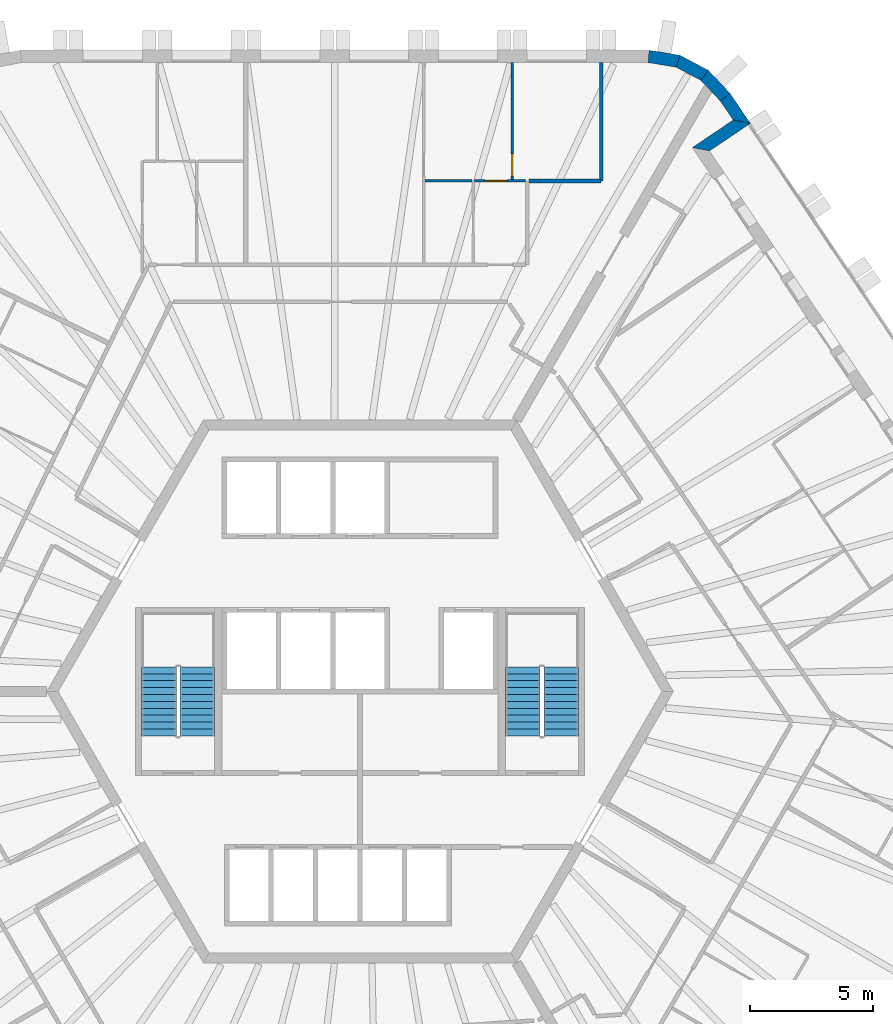
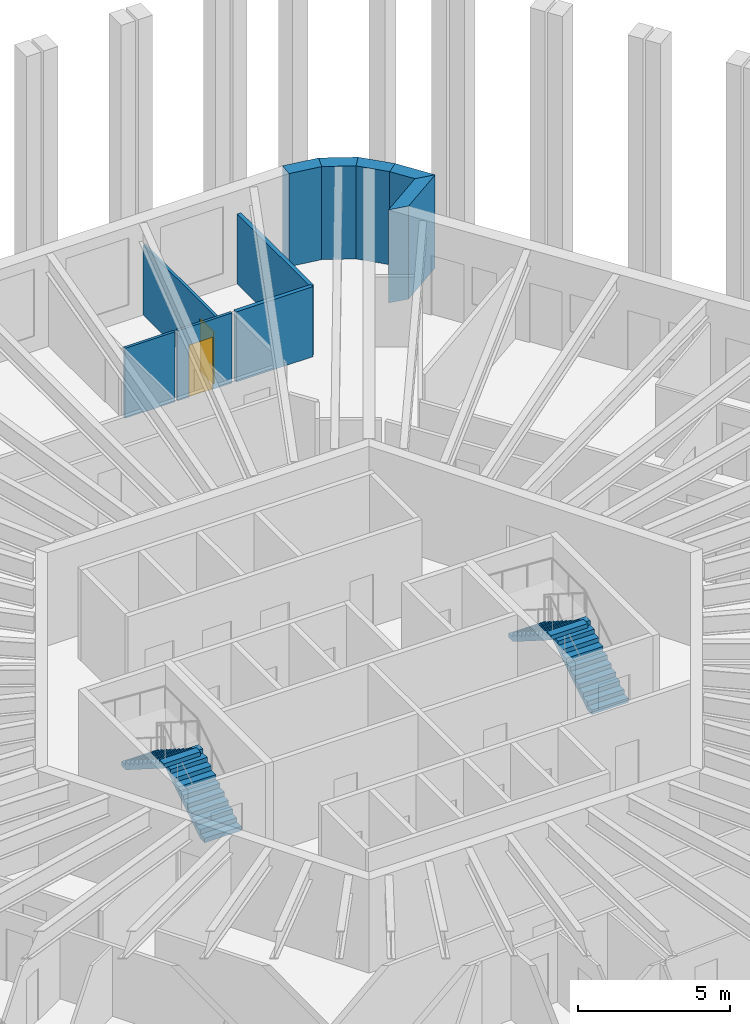
# One storey, part 11 of 13: 10 walls, 4 stair flights, 2 doors, 2 openings, 2 elements without a shape of their own.
"""IFC4 building model written with IfcOpenShell, lengths in metres."""

import ifcopenshell
import ifcopenshell.guid

model = None  # the IFC model being written
_history = None  # IfcOwnerHistory: only IFC2X3 demands one
_inside = {}  # id of a spatial element -> (the spatial element, [elements in it])
_under = {}  # id of a project, library or spatial element -> (it, [spatial elements below it])
_declared = {}  # id of a project -> (the project, [libraries it declares])
_typed = {}  # id of a type object -> (the type object, [elements of that type])
_made_of = {}  # id of a material, layer set ... -> (it, [elements and type objects made of it])


def new_model(schema):
    """Start an empty IFC model of exactly this schema.

    Asked for "IFC4X3", IfcOpenShell would pick the latest addendum, in which some entities
    have other attributes; the version numbers below select the first issue.
    IFC2X3 requires an IfcOwnerHistory on every rooted entity: one is made here for all.
    """
    global model, _history
    if schema == "IFC4X3":
        model = ifcopenshell.file(schema_version=(4, 3, 0, 0))
    else:
        model = ifcopenshell.file(schema=schema)
    _inside.clear()
    _under.clear()
    _declared.clear()
    _typed.clear()
    _made_of.clear()
    _history = None
    if model.schema == "IFC2X3":
        org = make("IfcOrganization", Name="unknown")
        user = make(
            "IfcPersonAndOrganization",
            ThePerson=make("IfcPerson", FamilyName="unknown"),
            TheOrganization=org,
        )
        app = make(
            "IfcApplication",
            ApplicationDeveloper=org,
            Version="unknown",
            ApplicationFullName="unknown",
            ApplicationIdentifier="unknown",
        )
        _history = make(
            "IfcOwnerHistory",
            OwningUser=user,
            OwningApplication=app,
            ChangeAction="ADDED",
            CreationDate=0,
        )
    return model


def make(cls, **values):
    """One entity of the class cls with the attributes given. An attribute that is None is left unset."""
    return model.create_entity(
        cls, **{name: value for name, value in values.items() if value is not None}
    )


def rooted(cls, **values):
    """An entity with a GlobalId (a new one), such as an element, a storey or a relation."""
    return make(cls, GlobalId=ifcopenshell.guid.new(), OwnerHistory=_history, **values)


def si_unit(unit_type, name, prefix=None):
    """IfcSIUnit, for example si_unit("LENGTHUNIT", "METRE", prefix="MILLI")."""
    return make("IfcSIUnit", UnitType=unit_type, Prefix=prefix, Name=name)


def assignment(units):
    """IfcUnitAssignment: the units of a project."""
    return None if units is None else make("IfcUnitAssignment", Units=units)


def point(xyz):
    """IfcCartesianPoint."""
    return None if xyz is None else make("IfcCartesianPoint", Coordinates=xyz)


def direction(xyz):
    """IfcDirection."""
    return None if xyz is None else make("IfcDirection", DirectionRatios=xyz)


def frame(location, z_axis=None, x_axis=None):
    """IfcAxis2Placement3D, a coordinate frame: its origin and axes. An axis left out is left unset."""
    return make(
        "IfcAxis2Placement3D",
        Location=point(location),
        Axis=direction(z_axis),
        RefDirection=direction(x_axis),
    )


def frame_2d(location, x_axis=None):
    """IfcAxis2Placement2D, a coordinate frame in the plane: its origin and x axis."""
    return make(
        "IfcAxis2Placement2D", Location=point(location), RefDirection=direction(x_axis)
    )


def origin():
    """The frame at (0, 0, 0) with its axes left unset."""
    return frame((0.0, 0.0, 0.0))


def place(relative_to, where):
    """IfcLocalPlacement: puts the frame where relative to a parent placement (None: the world)."""
    return make(
        "IfcLocalPlacement", PlacementRelTo=relative_to, RelativePlacement=where
    )


def context(
    kind, dimensions, precision=None, world=None, true_north=None, identifier=None
):
    """IfcGeometricRepresentationContext, for example the 3D "Model" context."""
    return make(
        "IfcGeometricRepresentationContext",
        ContextIdentifier=identifier,
        ContextType=kind,
        CoordinateSpaceDimension=dimensions,
        Precision=precision,
        WorldCoordinateSystem=world,
        TrueNorth=true_north,
    )


def subcontext(parent, identifier, kind, view, scale=None):
    """IfcGeometricRepresentationSubContext, for example "Body" below "Model"."""
    return make(
        "IfcGeometricRepresentationSubContext",
        ContextIdentifier=identifier,
        ContextType=kind,
        ParentContext=parent,
        TargetScale=scale,
        TargetView=view,
    )


def project(units=None, contexts=None):
    """IfcProject with its units and contexts."""
    return rooted(
        "IfcProject",
        Name="project",
        RepresentationContexts=contexts,
        UnitsInContext=assignment(units),
    )


def spatial(cls, under=None, at=None, **own):
    """A site, building, storey or space (cls), placed at a placement, below another one or the project."""
    s = rooted(cls, ObjectPlacement=at, **own)
    if under is not None:
        _under.setdefault(under.id(), (under, []))[1].append(s)
    return s


def polyline(points):
    """IfcPolyline through the points."""
    return make("IfcPolyline", Points=[point(p) for p in points])


def profile(cls, at=None, kind="AREA", **sizes):
    """A parametric profile (cls). Its sizes go by their IFC names, for example OverallWidth=200.0."""
    return make(cls, ProfileType=kind, Position=at, **sizes)


def rectangle(**sizes):
    """IfcRectangleProfileDef."""
    return profile("IfcRectangleProfileDef", **sizes)


def outline(outer, holes=None, kind="AREA"):
    """IfcArbitraryClosedProfileDef: a profile drawn as a closed curve; with holes, ...WithVoids."""
    if holes is None:
        return make("IfcArbitraryClosedProfileDef", ProfileType=kind, OuterCurve=outer)
    return make(
        "IfcArbitraryProfileDefWithVoids",
        ProfileType=kind,
        OuterCurve=outer,
        InnerCurves=holes,
    )


def extrude(swept, where, along, depth):
    """IfcExtrudedAreaSolid: the profile swept, set in the frame where, extruded along a direction by depth."""
    return make(
        "IfcExtrudedAreaSolid",
        SweptArea=swept,
        Position=where,
        ExtrudedDirection=direction(along),
        Depth=depth,
    )


def shape(context_of_items, identifier, shape_type, items):
    """IfcShapeRepresentation: the items that make up one representation, for example the "Body"."""
    return make(
        "IfcShapeRepresentation",
        ContextOfItems=context_of_items,
        RepresentationIdentifier=identifier,
        RepresentationType=shape_type,
        Items=items,
    )


def material(Name=None, Category=None):
    """IfcMaterial."""
    return make("IfcMaterial", Name=Name, Category=Category)


def layer(
    of_material, thickness, ventilated=None, Name=None, Category=None, Priority=None
):
    """IfcMaterialLayer: one layer of a wall or slab, of a material (None: an air gap)."""
    return make(
        "IfcMaterialLayer",
        Material=of_material,
        LayerThickness=thickness,
        IsVentilated=ventilated,
        Name=Name,
        Category=Category,
        Priority=Priority,
    )


def layer_set(layers, Name=None):
    """IfcMaterialLayerSet."""
    return make("IfcMaterialLayerSet", MaterialLayers=layers, LayerSetName=Name)


def made_of(thing, what):
    """Note that an element or type object is made of a material, layer set ...; save() writes the relation."""
    if what is not None:
        _made_of.setdefault(what.id(), (what, []))[1].append(thing)
    return thing


def type_object(cls, material=None, **own):
    """A type object (cls), such as IfcWallType, which elements share."""
    return made_of(rooted(cls, **own), material)


def element(
    cls,
    number,
    at=None,
    inside=None,
    cuts=None,
    type_object=None,
    material=None,
    context=None,
    identifier="Body",
    shape_type=None,
    held_by="IfcProductDefinitionShape",
    body=None,
    shapes=None,
    **own,
):
    """One element of the class cls, such as IfcWall. Its Tag is "e" and its number.

    at: its placement. inside: the storey or other place that contains it. cuts: it is an
    opening in that element (IfcRelVoidsElement). A single representation is given by context,
    identifier, shape_type and body (its items); several are given by shapes. held_by: the class
    of the entity that holds the representations. save() writes the other relations.
    """
    e = rooted(cls, Tag="e%d" % number, ObjectPlacement=at, **own)
    if body is not None:
        shapes = [shape(context, identifier, shape_type, body)]
    if shapes is not None:
        e.Representation = make(held_by, Representations=shapes)
    if inside is not None:
        _inside.setdefault(inside.id(), (inside, []))[1].append(e)
    if cuts is not None:
        rooted(
            "IfcRelVoidsElement", RelatingBuildingElement=cuts, RelatedOpeningElement=e
        )
    if type_object is not None:
        _typed.setdefault(type_object.id(), (type_object, []))[1].append(e)
    return made_of(e, material)


def fill(opening, filler):
    """IfcRelFillsElement: the door or window that sits in an opening."""
    return rooted(
        "IfcRelFillsElement",
        RelatingOpeningElement=opening,
        RelatedBuildingElement=filler,
    )


def aggregate(whole, parts):
    """IfcRelAggregates: a whole, such as a stair, and the parts it consists of."""
    return rooted("IfcRelAggregates", RelatingObject=whole, RelatedObjects=parts)


def save(model, path):
    """Write the relations noted so far, then the file.

    IfcRelAggregates (storeys below a building ...), IfcRelContainedInSpatialStructure (elements
    in a storey), IfcRelDefinesByType, IfcRelAssociatesMaterial and IfcRelDeclares: one each for
    every whole, place, type object, material and project.
    """
    for whole, parts in _under.values():
        aggregate(whole, parts)
    for where, things in _inside.values():
        rooted(
            "IfcRelContainedInSpatialStructure",
            RelatedElements=things,
            RelatingStructure=where,
        )
    for kind, things in _typed.values():
        rooted("IfcRelDefinesByType", RelatedObjects=things, RelatingType=kind)
    for what, things in _made_of.values():
        rooted("IfcRelAssociatesMaterial", RelatedObjects=things, RelatingMaterial=what)
    for by, libraries in _declared.values():
        rooted("IfcRelDeclares", RelatingContext=by, RelatedDefinitions=libraries)
    model.write(path)


model = new_model("IFC4")

# Units and contexts
model_context = context("Model", 3, precision=1e-05, world=origin(), true_north=direction((0.0, 1.0)))
body_context = subcontext(model_context, "Body", "Model", "MODEL_VIEW")
ifc_project = project(units=[si_unit("LENGTHUNIT", "METRE"), si_unit("AREAUNIT", "SQUARE_METRE"), si_unit("VOLUMEUNIT", "CUBIC_METRE"), si_unit("PLANEANGLEUNIT", "RADIAN"), si_unit("MASSUNIT", "GRAM", prefix="KILO")], contexts=[model_context])

# Site, building, storey
site_placement = place(None, origin())
site = spatial("IfcSite", under=ifc_project, at=site_placement, CompositionType="ELEMENT")
building_placement = place(site_placement, origin())
building = spatial("IfcBuilding", under=site, at=building_placement, Name="Tarnside Tower", CompositionType="ELEMENT")
storey_placement = place(building_placement, frame((0.0, 0.0, 256.199951171875)))
storey = spatial("IfcBuildingStorey", under=building, at=storey_placement, Name="L61", CompositionType="ELEMENT", Elevation=256.199951171875)

# Walls
ifc_material_1 = material(Name="Gypsum board partition on steel studs", Category="steel")
ifc_layer_1 = layer(ifc_material_1, 0.10009765625)
ifc_layer_set_1 = layer_set([ifc_layer_1], Name="Bathroom wall 100")
wall_type_1 = type_object("IfcWallType", Name="Bathroom wall 100", PredefinedType="PARTITIONING", material=ifc_layer_set_1)
wall_1_placement = place(storey_placement, frame((4.5380859375, 20.699951171875, 0.0), z_axis=(0.0, 0.0, 1.0), x_axis=(-1.0, 0.0, 0.0)))
element("IfcWall", 1, at=wall_1_placement, inside=storey, type_object=wall_type_1, Name="Bathroom wall 20088", PredefinedType="PARTITIONING", context=body_context, shape_type="SweptSolid", body=[
    extrude(rectangle(XDim=1.904052734375, YDim=0.10009765625, at=frame_2d((0.9521484375, 0.0))), origin(), (0.0, 0.0, 1.0), 2.823486328125),
])
ifc_layer_2 = layer(ifc_material_1, 0.14990234375)
ifc_layer_set_2 = layer_set([ifc_layer_2], Name="Corridor wall 150 EI 60")
wall_type_2 = type_object("IfcWallType", Name="Corridor wall 150 EI 60", PredefinedType="PARTITIONING", material=ifc_layer_set_2)
wall_2_placement = place(storey_placement, frame((9.77392578125, 20.699951171875, 0.0), z_axis=(0.0, 0.0, 1.0), x_axis=(-1.0, 0.0, 0.0)))
element("IfcWall", 2, at=wall_2_placement, inside=storey, type_object=wall_type_2, Name="Corridor wall 20005", PredefinedType="PARTITIONING", context=body_context, shape_type="SweptSolid", body=[
    extrude(rectangle(XDim=2.916259765625, YDim=0.14990234375, at=frame_2d((1.4580078125, 0.0))), origin(), (0.0, 0.0, 1.0), 2.823486328125),
])
wall_3_placement = place(storey_placement, frame((9.775146484375, 25.5, 0.0), z_axis=(0.0, 0.0, 1.0), x_axis=(0.0, -1.0, 0.0)))
element("IfcWall", 3, at=wall_3_placement, inside=storey, type_object=wall_type_2, Name="Corridor wall 20006", PredefinedType="PARTITIONING", context=body_context, shape_type="SweptSolid", body=[
    extrude(rectangle(XDim=4.798828125, YDim=0.14990234375, at=frame_2d((2.3994140625, 0.0))), origin(), (0.0, 0.0, 1.0), 2.823486328125),
])
ifc_material_2 = material(Name="Dark zinc cladding")
ifc_layer_3 = layer(ifc_material_2, 0.10205078125)
ifc_material_3 = material(Name="Concrete C60/75 precast", Category="concrete")
ifc_layer_4 = layer(ifc_material_3, 0.298095703125)
ifc_material_4 = material(Name="Mineral wool insulation")
ifc_layer_5 = layer(ifc_material_4, 0.10009765625)
ifc_layer_set_3 = layer_set([ifc_layer_3, ifc_layer_4, ifc_layer_5], Name="Loggia wall 500 zinc faced")
wall_type_3 = type_object("IfcWallType", Name="Loggia wall 500 zinc faced", PredefinedType="SOLIDWALL", material=ifc_layer_set_3)
wall_4_placement = place(storey_placement, frame((13.8193359375, 21.983642578125, 0.0), z_axis=(0.0, 0.0, 1.0), x_axis=(0.829052389485, 0.559170935841, 0.0)))
element("IfcWall", 4, at=wall_4_placement, inside=storey, type_object=wall_type_3, Name="Tube wall L61 F6 return 31", PredefinedType="SOLIDWALL", context=body_context, shape_type="SweptSolid", body=[
    extrude(outline(polyline([(0.25, -0.25), (2.25, -0.25), (1.75, 0.25), (-0.25, 0.25), (0.25, -0.25)])), origin(), (0.0, 0.0, 1.0), 3.75),
])
wall_5_placement = place(storey_placement, frame((15.4775390625, 23.10205078125, 0.0), z_axis=(0.0, 0.0, 1.0), x_axis=(-0.559245726333, 0.829001940636, 0.0)))
element("IfcWall", 5, at=wall_5_placement, inside=storey, type_object=wall_type_3, Name="Tube wall L61 F6 stub 32", PredefinedType="SOLIDWALL", context=body_context, shape_type="SweptSolid", body=[
    extrude(outline(polyline([(-0.25, -0.25), (1.220703125, -0.25), (1.1796875, 0.25), (0.25, 0.25), (-0.25, -0.25)])), origin(), (0.0, 0.0, 1.0), 3.75),
])

# Wall, opening, door
ifc_layer_6 = layer(ifc_material_1, 0.10009765625)
ifc_layer_set_4 = layer_set([ifc_layer_6], Name="Partition 100")
wall_type_4 = type_object("IfcWallType", Name="Partition 100", PredefinedType="PARTITIONING", material=ifc_layer_set_4)
wall_6_placement = place(storey_placement, frame((6.713134765625, 20.699951171875, 0.0), z_axis=(0.0, 0.0, 1.0), x_axis=(-1.0, 0.0, 0.0)))
wall_6 = element("IfcWall", 6, at=wall_6_placement, inside=storey, type_object=wall_type_4, Name="Partition wall 20086", PredefinedType="PARTITIONING", context=body_context, shape_type="SweptSolid", body=[
    extrude(rectangle(XDim=2.0791015625, YDim=0.10009765625, at=frame_2d((1.03955078125, 0.0))), origin(), (0.0, 0.0, 1.0), 2.823486328125),
])
opening_1_placement = place(wall_6_placement, frame((0.738037109375, 0.0, 0.0)))
opening_1 = element("IfcOpeningElement", 7, at=opening_1_placement, cuts=wall_6, Name="Opening D-I1", PredefinedType="OPENING", context=body_context, shape_type="SweptSolid", body=[
    extrude(rectangle(XDim=0.89990234375, YDim=2.10009765625, at=frame_2d((0.449951171875, 1.050048828125))), frame((0.0, 0.06005859375, 0.0), z_axis=(0.0, -1.0, 0.0), x_axis=(1.0, 0.0, 0.0)), (0.0, 0.0, 1.0), 0.1201171875),
])
ifc_material_5 = material(Name="Timber door leaf", Category="wood")
door_type = type_object("IfcDoorType", Name="Internal door 900", OperationType="NOTDEFINED", PredefinedType="DOOR", material=ifc_material_5)
door_1_placement = place(opening_1_placement, origin())
door_1 = element("IfcDoor", 8, at=door_1_placement, inside=storey, type_object=door_type, Name="Internal door 20005", OperationType="SINGLE_SWING_RIGHT", OverallHeight=2.10009765625, OverallWidth=0.89990234375, PredefinedType="DOOR", context=body_context, shape_type="SweptSolid", body=[
    extrude(rectangle(XDim=0.89990234375, YDim=2.10009765625, at=frame_2d((0.449951171875, 1.050048828125))), frame((0.0, 0.02490234375, 0.0), z_axis=(0.0, -1.0, 0.0), x_axis=(1.0, 0.0, 0.0)), (0.0, 0.0, 1.0), 0.050048828125),
])
fill(opening_1, door_1)

wall_7_placement = place(storey_placement, frame((6.17529296875, 25.5, 0.0), z_axis=(0.0, 0.0, 1.0), x_axis=(0.0, -1.0, 0.0)))
wall_7 = element("IfcWall", 9, at=wall_7_placement, inside=storey, type_object=wall_type_4, Name="Partition wall 20089", PredefinedType="PARTITIONING", context=body_context, shape_type="SweptSolid", body=[
    extrude(rectangle(XDim=4.75, YDim=0.10009765625, at=frame_2d((2.375, 0.0))), origin(), (0.0, 0.0, 1.0), 2.823486328125),
])
opening_2_placement = place(wall_7_placement, frame((3.699951171875, 0.0, 0.0)))
opening_2 = element("IfcOpeningElement", 10, at=opening_2_placement, cuts=wall_7, Name="Opening D-I1", PredefinedType="OPENING", context=body_context, shape_type="SweptSolid", body=[
    extrude(rectangle(XDim=0.89990234375, YDim=2.10009765625, at=frame_2d((0.449951171875, 1.050048828125))), frame((0.0, 0.06005859375, 0.0), z_axis=(0.0, -1.0, 0.0), x_axis=(1.0, 0.0, 0.0)), (0.0, 0.0, 1.0), 0.1201171875),
])
door_2_placement = place(opening_2_placement, origin())
door_2 = element("IfcDoor", 11, at=door_2_placement, inside=storey, type_object=door_type, Name="Internal door 20008", OperationType="SINGLE_SWING_RIGHT", OverallHeight=2.10009765625, OverallWidth=0.89990234375, PredefinedType="DOOR", context=body_context, shape_type="SweptSolid", body=[
    extrude(rectangle(XDim=0.89990234375, YDim=2.10009765625, at=frame_2d((0.449951171875, 1.050048828125))), frame((0.0, 0.02490234375, 0.0), z_axis=(0.0, -1.0, 0.0), x_axis=(1.0, 0.0, 0.0)), (0.0, 0.0, 1.0), 0.050048828125),
])
fill(opening_2, door_2)

# Walls
ifc_material_6 = material(Name="Facing brick", Category="masonry")
ifc_layer_7 = layer(ifc_material_6, 0.10205078125)
ifc_layer_8 = layer(ifc_material_3, 0.298095703125)
ifc_layer_9 = layer(ifc_material_4, 0.10009765625)
ifc_layer_set_5 = layer_set([ifc_layer_7, ifc_layer_8, ifc_layer_9], Name="Tube wall 500 brick faced")
wall_type_5 = type_object("IfcWallType", Name="Tube wall 500 brick faced", PredefinedType="SOLIDWALL", material=ifc_layer_set_5)
wall_8_placement = place(storey_placement, frame((14.806396484375, 24.096923828125, 0.0), z_axis=(0.0, 0.0, 1.0), x_axis=(-0.686234452793, 0.727380420275, 0.0)))
element("IfcWall", 12, at=wall_8_placement, inside=storey, type_object=wall_type_5, Name="Tube wall L61 F6 chord 33", PredefinedType="SOLIDWALL", context=body_context, shape_type="SweptSolid", body=[
    extrude(outline(polyline([(-0.0205078125, -0.25), (1.25732421875, -0.25), (1.17529296875, 0.25), (0.0205078125, 0.25), (-0.0205078125, -0.25)])), origin(), (0.0, 0.0, 1.0), 3.75),
])
wall_9_placement = place(storey_placement, frame((13.9716796875, 24.981689453125, 0.0), z_axis=(0.0, 0.0, 1.0), x_axis=(-0.882902492938, 0.469556373575, 0.0)))
element("IfcWall", 13, at=wall_9_placement, inside=storey, type_object=wall_type_5, Name="Tube wall L61 F6 chord 34", PredefinedType="SOLIDWALL", context=body_context, shape_type="SweptSolid", body=[
    extrude(outline(polyline([(-0.041015625, -0.25), (1.257080078125, -0.25), (1.175048828125, 0.25), (0.041015625, 0.25), (-0.041015625, -0.25)])), origin(), (0.0, 0.0, 1.0), 3.75),
])
wall_10_placement = place(storey_placement, frame((12.89794921875, 25.552734375, 0.0), z_axis=(0.0, 0.0, 1.0), x_axis=(-0.986765617372, 0.16215306464, 0.0)))
element("IfcWall", 14, at=wall_10_placement, inside=storey, type_object=wall_type_5, Name="Tube wall L61 F6 chord 35", PredefinedType="SOLIDWALL", context=body_context, shape_type="SweptSolid", body=[
    extrude(outline(polyline([(-0.041015625, -0.25), (1.237060546875, -0.25), (1.196044921875, 0.25), (0.041015625, 0.25), (-0.041015625, -0.25)])), origin(), (0.0, 0.0, 1.0), 3.75),
])

# Stair, stair flights
ifc_material_7 = material(Name="Concrete C40/50", Category="concrete")
stair_type = type_object("IfcStairType", Name="Exit stair 1400 clear", PredefinedType="HALF_TURN_STAIR", material=ifc_material_7)
stair_1_placement = place(storey_placement, origin())
stair_1 = element("IfcStair", 15, at=stair_1_placement, inside=storey, type_object=stair_type, Name="L61 Exit stair 1", PredefinedType="HALF_TURN_STAIR")
stair_flight_type = type_object("IfcStairFlightType", Name="Exit stair flight 1400", PredefinedType="STRAIGHT", material=ifc_material_7)
stair_flight_1_placement = place(storey_placement, frame((8.14990234375, -1.800048828125, 0.0), z_axis=(0.0, 0.0, 1.0), x_axis=(0.0, 1.0, 0.0)))
stair_flight_1 = element("IfcStairFlight", 16, at=stair_flight_1_placement, type_object=stair_flight_type, Name="ST1 flight 1", NumberOfRisers=11, NumberOfTreads=10, PredefinedType="STRAIGHT", RiserHeight=0.177272727, TreadLength=0.28, context=body_context, shape_type="SweptSolid", body=[
    extrude(outline(polyline([(0.0, 0.0), (0.0, 0.17724609375), (0.280029296875, 0.17724609375), (0.280029296875, 0.3544921875), (0.56005859375, 0.3544921875), (0.56005859375, 0.53173828125), (0.840087890625, 0.53173828125), (0.840087890625, 0.708984375), (1.1201171875, 0.708984375), (1.1201171875, 0.886474609375), (1.39990234375, 0.886474609375), (1.39990234375, 1.063720703125), (1.679931640625, 1.063720703125), (1.679931640625, 1.240966796875), (1.9599609375, 1.240966796875), (1.9599609375, 1.418212890625), (2.239990234375, 1.418212890625), (2.239990234375, 1.595458984375), (2.52001953125, 1.595458984375), (2.52001953125, 1.772705078125), (2.800048828125, 1.772705078125), (2.800048828125, 1.949951171875), (2.800048828125, 1.59521484375), (0.2802734375, 0.0), (0.0, 0.0)])), frame((0.0, 0.699951171875, 0.0), z_axis=(0.0, -1.0, 0.0), x_axis=(1.0, 0.0, 0.0)), (0.0, 0.0, 1.0), 1.39990234375),
])
stair_flight_2_placement = place(storey_placement, frame((6.60009765625, 1.0, 1.949951171875), z_axis=(0.0, 0.0, 1.0), x_axis=(0.0, -1.0, 0.0)))
stair_flight_2 = element("IfcStairFlight", 17, at=stair_flight_2_placement, type_object=stair_flight_type, Name="ST1 flight 2", NumberOfRisers=11, NumberOfTreads=10, PredefinedType="STRAIGHT", RiserHeight=0.177272727, TreadLength=0.28, context=body_context, shape_type="SweptSolid", body=[
    extrude(outline(polyline([(0.0, 0.0), (0.0, 0.17724609375), (0.280029296875, 0.17724609375), (0.280029296875, 0.3544921875), (0.56005859375, 0.3544921875), (0.56005859375, 0.53173828125), (0.840087890625, 0.53173828125), (0.840087890625, 0.708984375), (1.1201171875, 0.708984375), (1.1201171875, 0.886474609375), (1.39990234375, 0.886474609375), (1.39990234375, 1.063720703125), (1.679931640625, 1.063720703125), (1.679931640625, 1.240966796875), (1.9599609375, 1.240966796875), (1.9599609375, 1.418212890625), (2.239990234375, 1.418212890625), (2.239990234375, 1.595458984375), (2.52001953125, 1.595458984375), (2.52001953125, 1.772705078125), (2.800048828125, 1.772705078125), (2.800048828125, 1.949951171875), (2.800048828125, 1.59521484375), (0.2802734375, 0.0), (0.0, 0.0)])), frame((0.0, 0.699951171875, 0.0), z_axis=(0.0, -1.0, 0.0), x_axis=(1.0, 0.0, 0.0)), (0.0, 0.0, 1.0), 1.39990234375),
])
aggregate(stair_1, [stair_flight_1, stair_flight_2])

stair_2_placement = place(storey_placement, origin())
stair_2 = element("IfcStair", 18, at=stair_2_placement, inside=storey, type_object=stair_type, Name="L61 Exit stair 2", PredefinedType="HALF_TURN_STAIR")
stair_flight_3_placement = place(storey_placement, frame((-6.60009765625, -1.800048828125, 0.0), z_axis=(0.0, 0.0, 1.0), x_axis=(0.0, 1.0, 0.0)))
stair_flight_3 = element("IfcStairFlight", 19, at=stair_flight_3_placement, type_object=stair_flight_type, Name="ST2 flight 1", NumberOfRisers=11, NumberOfTreads=10, PredefinedType="STRAIGHT", RiserHeight=0.177272727, TreadLength=0.28, context=body_context, shape_type="SweptSolid", body=[
    extrude(outline(polyline([(0.0, 0.0), (0.0, 0.17724609375), (0.280029296875, 0.17724609375), (0.280029296875, 0.3544921875), (0.56005859375, 0.3544921875), (0.56005859375, 0.53173828125), (0.840087890625, 0.53173828125), (0.840087890625, 0.708984375), (1.1201171875, 0.708984375), (1.1201171875, 0.886474609375), (1.39990234375, 0.886474609375), (1.39990234375, 1.063720703125), (1.679931640625, 1.063720703125), (1.679931640625, 1.240966796875), (1.9599609375, 1.240966796875), (1.9599609375, 1.418212890625), (2.239990234375, 1.418212890625), (2.239990234375, 1.595458984375), (2.52001953125, 1.595458984375), (2.52001953125, 1.772705078125), (2.800048828125, 1.772705078125), (2.800048828125, 1.949951171875), (2.800048828125, 1.59521484375), (0.2802734375, 0.0), (0.0, 0.0)])), frame((0.0, 0.699951171875, 0.0), z_axis=(0.0, -1.0, 0.0), x_axis=(1.0, 0.0, 0.0)), (0.0, 0.0, 1.0), 1.39990234375),
])
stair_flight_4_placement = place(storey_placement, frame((-8.14990234375, 1.0, 1.949951171875), z_axis=(0.0, 0.0, 1.0), x_axis=(0.0, -1.0, 0.0)))
stair_flight_4 = element("IfcStairFlight", 20, at=stair_flight_4_placement, type_object=stair_flight_type, Name="ST2 flight 2", NumberOfRisers=11, NumberOfTreads=10, PredefinedType="STRAIGHT", RiserHeight=0.177272727, TreadLength=0.28, context=body_context, shape_type="SweptSolid", body=[
    extrude(outline(polyline([(0.0, 0.0), (0.0, 0.17724609375), (0.280029296875, 0.17724609375), (0.280029296875, 0.3544921875), (0.56005859375, 0.3544921875), (0.56005859375, 0.53173828125), (0.840087890625, 0.53173828125), (0.840087890625, 0.708984375), (1.1201171875, 0.708984375), (1.1201171875, 0.886474609375), (1.39990234375, 0.886474609375), (1.39990234375, 1.063720703125), (1.679931640625, 1.063720703125), (1.679931640625, 1.240966796875), (1.9599609375, 1.240966796875), (1.9599609375, 1.418212890625), (2.239990234375, 1.418212890625), (2.239990234375, 1.595458984375), (2.52001953125, 1.595458984375), (2.52001953125, 1.772705078125), (2.800048828125, 1.772705078125), (2.800048828125, 1.949951171875), (2.800048828125, 1.59521484375), (0.2802734375, 0.0), (0.0, 0.0)])), frame((0.0, 0.699951171875, 0.0), z_axis=(0.0, -1.0, 0.0), x_axis=(1.0, 0.0, 0.0)), (0.0, 0.0, 1.0), 1.39990234375),
])
aggregate(stair_2, [stair_flight_3, stair_flight_4])

save(model, "model.ifc")
